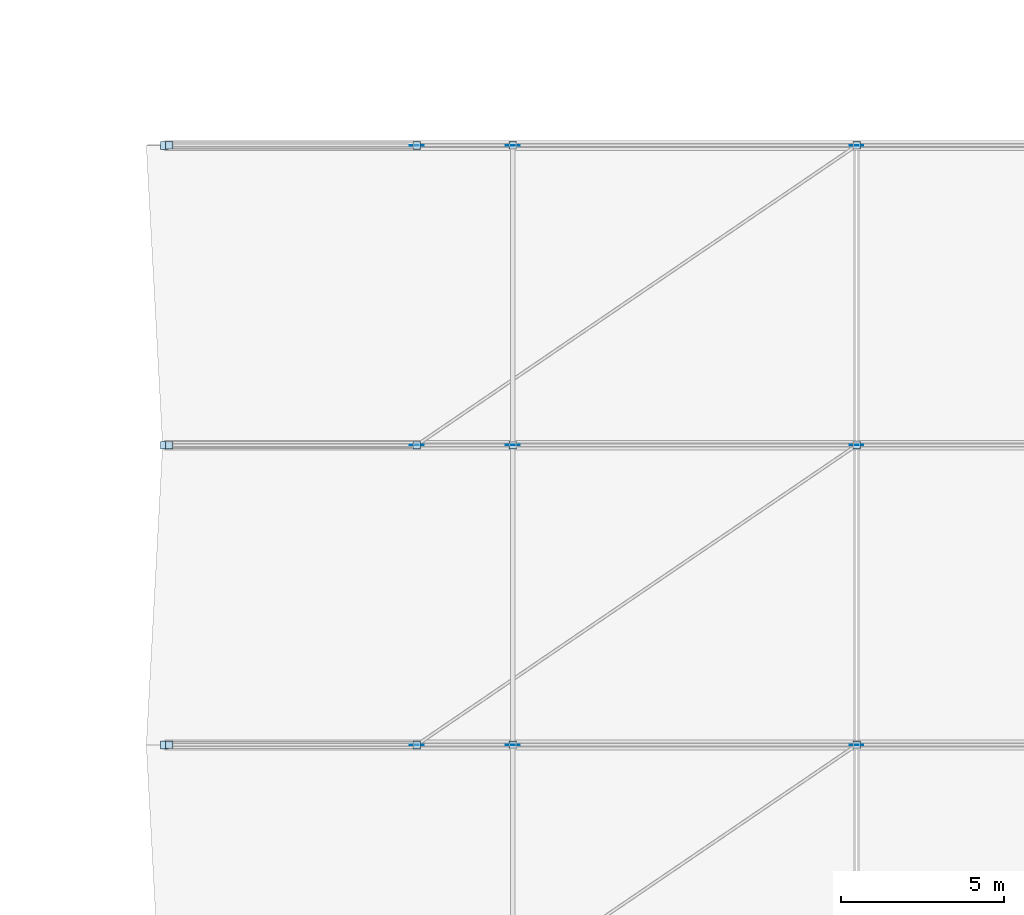
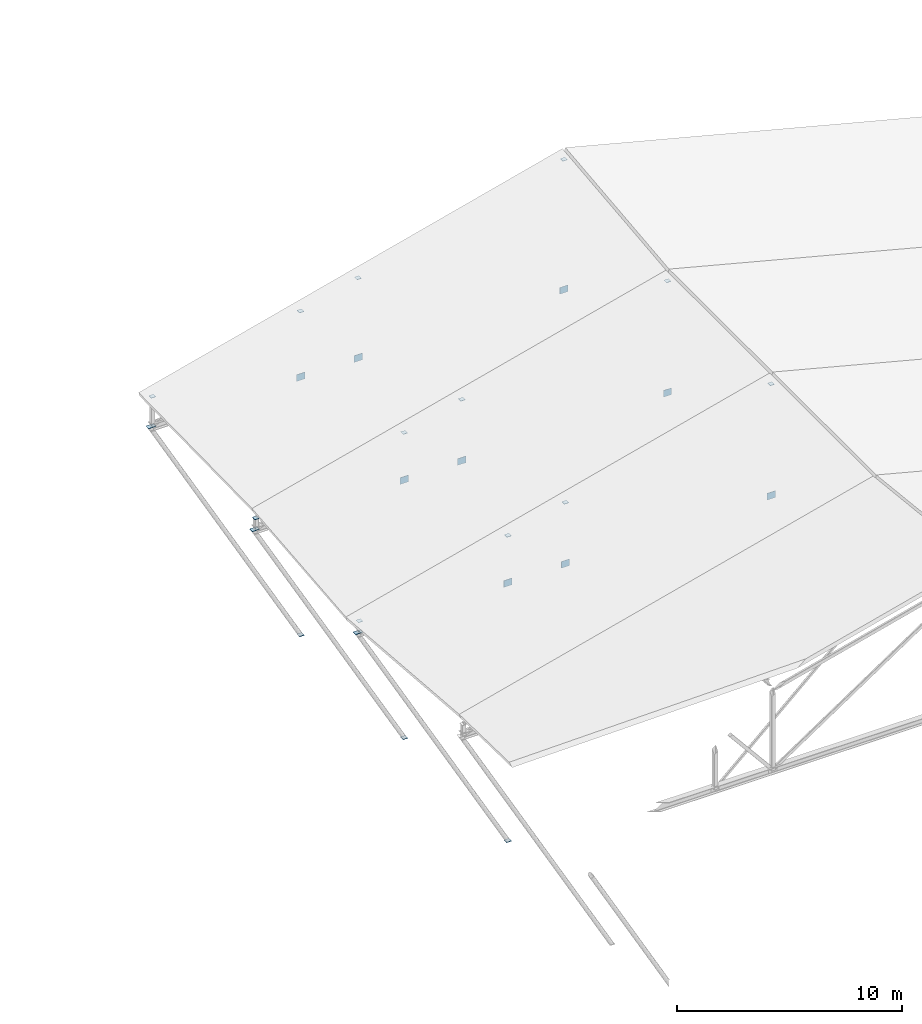
# One storey, part 50 of 56: 30 plates.
"""IFC4 building model written with IfcOpenShell, lengths in metres."""

from ifc_helpers import new_model, si_unit, direction, frame, origin, origin_2d, place, context, subcontext, project, spatial, rectangle, extrude, material, layer, layer_set, type_object, element, save


model = new_model("IFC4")

# Units and contexts
model_context = context("Model", 3, precision=1e-05, world=origin(), true_north=direction((0.0, 1.0)))
body_context = subcontext(model_context, "Body", "Model", "MODEL_VIEW")
ifc_project = project(units=[si_unit("LENGTHUNIT", "METRE"), si_unit("AREAUNIT", "SQUARE_METRE"), si_unit("VOLUMEUNIT", "CUBIC_METRE"), si_unit("PLANEANGLEUNIT", "RADIAN"), si_unit("MASSUNIT", "GRAM", prefix="KILO")], contexts=[model_context])

# Site, building, storey
site_placement = place(None, origin())
site = spatial("IfcSite", under=ifc_project, at=site_placement, CompositionType="ELEMENT")
building_placement = place(site_placement, origin())
building = spatial("IfcBuilding", under=site, at=building_placement, Name="Bozkorgan Art Gallery", CompositionType="ELEMENT")
storey_placement = place(building_placement, frame((0.0, 0.0, 24.0)))
storey = spatial("IfcBuildingStorey", under=building, at=storey_placement, Name="L05", CompositionType="ELEMENT", Elevation=24.0)

# Plates
ifc_material = material(Name="Steel S355J2", Category="steel")
ifc_layer_1 = layer(ifc_material, 0.01611328125, Name="Steel S355J2")
ifc_layer_set_1 = layer_set([ifc_layer_1], Name="Steel S355J2")
plate_type_1 = type_object("IfcPlateType", Name="PLATE-EC-05", PredefinedType="USERDEFINED", material=ifc_layer_set_1)
for number, where, z_axis, x_axis, name in (
    (1, (66.39990234375, 66.0, 0.7646484375), (0.0, 0.0, 1.0), (1.0, 0.0, 0.0), "Truss V4 post cap 3.0"),
    (2, (66.39990234375, 66.0, 0.171875), (0.0, 0.0, 1.0), (1.0, 0.0, 0.0), "Truss V4 post base cap 3.0"),
    (3, (74.0, 66.0, 2.72998046875), (0.0, 0.0, 1.0), (1.0, 0.0, 0.0), "Truss V4 post cap 3.1"),
    (4, (76.949951171875, 66.0, 3.492919921875), (0.0, 0.0, 1.0), (1.0, 0.0, 0.0), "Truss V4 post cap 3.2"),
    (5, (87.5, 66.0, 6.221435546875), (0.0, 0.0, 1.0), (1.0, 0.0, 0.0), "Truss V4 post cap 3.3"),
    (6, (66.39990234375, 75.199951171875, 0.7646484375), (0.0, 0.0, 1.0), (1.0, 0.0, 0.0), "Truss V4 post cap 4.0"),
    (7, (66.39990234375, 75.199951171875, 0.171875), (0.0, 0.0, 1.0), (1.0, 0.0, 0.0), "Truss V4 post base cap 4.0"),
    (8, (74.0, 75.199951171875, 2.72998046875), (0.0, 0.0, 1.0), (1.0, 0.0, 0.0), "Truss V4 post cap 4.1"),
    (9, (76.949951171875, 75.199951171875, 3.492919921875), (0.0, 0.0, 1.0), (1.0, 0.0, 0.0), "Truss V4 post cap 4.2"),
    (10, (87.5, 75.199951171875, 6.221435546875), (0.0, 0.0, 1.0), (1.0, 0.0, 0.0), "Truss V4 post cap 4.3"),
    (11, (66.39990234375, 84.39990234375, 1.772216796875), (0.0, 0.0, 1.0), (1.0, 0.0, 0.0), "Truss V4 post cap 5.0"),
    (12, (66.39990234375, 84.39990234375, 0.171875), (0.0, 0.0, 1.0), (1.0, 0.0, 0.0), "Truss V4 post base cap 5.0"),
    (13, (74.0, 84.39990234375, 3.737548828125), (0.0, 0.0, 1.0), (1.0, 0.0, 0.0), "Truss V4 post cap 5.1"),
    (14, (76.949951171875, 84.39990234375, 4.50048828125), (0.0, 0.0, 1.0), (1.0, 0.0, 0.0), "Truss V4 post cap 5.2"),
    (15, (87.5, 84.39990234375, 7.22900390625), (0.0, 0.0, 1.0), (1.0, 0.0, 0.0), "Truss V4 post cap 5.3"),
):
    element("IfcPlate", number, at=place(storey_placement, frame(where, z_axis=z_axis, x_axis=x_axis)), inside=storey, type_object=plate_type_1, Name=name, ObjectType="END CAP PLATE", PredefinedType="USERDEFINED", context=body_context, shape_type="SweptSolid", body=[
        extrude(rectangle(XDim=0.22998046875, YDim=0.22998046875, at=origin_2d()), origin(), (0.0, 0.0, 1.0), 0.01611328125),
    ])
ifc_layer_2 = layer(ifc_material, 0.02001953125, Name="Steel S355J2")
ifc_layer_set_2 = layer_set([ifc_layer_2], Name="Steel S355J2")
plate_type_2 = type_object("IfcPlateType", Name="PLATE-EC-24", PredefinedType="USERDEFINED", material=ifc_layer_set_2)
for number, where, z_axis, x_axis, name in (
    (16, (74.0, 66.0, -13.81005859375), (0.0, 0.0, 1.0), (1.0, 0.0, 0.0), "ROOF-V4-MAIN west swept-eave diagonal tree-strut 3 end cap 1"),
    (17, (66.260009765625, 66.0, 0.169921875), (0.0, 0.0, 1.0), (1.0, 0.0, 0.0), "ROOF-V4-MAIN west swept-eave diagonal tree-strut 3 end cap 2"),
    (18, (74.0, 75.199951171875, -13.81005859375), (0.0, 0.0, 1.0), (1.0, 0.0, 0.0), "ROOF-V4-MAIN west swept-eave diagonal tree-strut 4 end cap 1"),
    (19, (66.260009765625, 75.199951171875, 0.169921875), (0.0, 0.0, 1.0), (1.0, 0.0, 0.0), "ROOF-V4-MAIN west swept-eave diagonal tree-strut 4 end cap 2"),
    (20, (74.0, 84.39990234375, -13.81005859375), (0.0, 0.0, 1.0), (1.0, 0.0, 0.0), "ROOF-V4-MAIN west swept-eave diagonal tree-strut 5 end cap 1"),
    (21, (66.260009765625, 84.39990234375, 0.169921875), (0.0, 0.0, 1.0), (1.0, 0.0, 0.0), "ROOF-V4-MAIN west swept-eave diagonal tree-strut 5 end cap 2"),
):
    element("IfcPlate", number, at=place(storey_placement, frame(where, z_axis=z_axis, x_axis=x_axis)), inside=storey, type_object=plate_type_2, Name=name, ObjectType="END CAP PLATE", PredefinedType="USERDEFINED", context=body_context, shape_type="SweptSolid", body=[
        extrude(rectangle(XDim=0.239990234375, YDim=0.239990234375, at=origin_2d()), origin(), (0.0, 0.0, 1.0), 0.02001953125),
    ])
ifc_layer_3 = layer(ifc_material, 0.02392578125, Name="Steel S355J2")
ifc_layer_set_3 = layer_set([ifc_layer_3], Name="Steel S355J2")
plate_type_3 = type_object("IfcPlateType", Name="PLATE-GP-38", PredefinedType="USERDEFINED", material=ifc_layer_set_3)
for number, where, z_axis, x_axis, name in (
    (22, (87.5, 66.0, 0.0), (0.0, 0.0, 1.0), (1.0, 0.0, 0.0), "Truss V4 span 3 node gusset TN-3"),
    (23, (87.5, 75.199951171875, 0.0), (0.0, 0.0, 1.0), (1.0, 0.0, 0.0), "Truss V4 span 4 node gusset TN-3"),
    (24, (87.5, 84.39990234375, 0.0), (0.0, 0.0, 1.0), (1.0, 0.0, 0.0), "Truss V4 span 5 node gusset TN-3"),
):
    element("IfcPlate", number, at=place(storey_placement, frame(where, z_axis=z_axis, x_axis=x_axis)), inside=storey, type_object=plate_type_3, Name=name, ObjectType="GUSSET PLATE", PredefinedType="USERDEFINED", context=body_context, shape_type="SweptSolid", body=[
        extrude(rectangle(XDim=0.419921875, YDim=0.02001953125, at=origin_2d()), origin(), (0.0, 0.0, 1.0), 0.360107421875),
    ])
ifc_layer_4 = layer(ifc_material, 0.02001953125, Name="Steel S355J2")
ifc_layer_set_4 = layer_set([ifc_layer_4], Name="Steel S355J2")
plate_type_4 = type_object("IfcPlateType", Name="PLATE-GP-55", PredefinedType="USERDEFINED", material=ifc_layer_set_4)
for number, where, z_axis, x_axis, name in (
    (25, (74.0, 66.0, 0.0), (0.0, 0.0, 1.0), (1.0, 0.0, 0.0), "Truss V4 span 3 node gusset TN-1"),
    (26, (76.949951171875, 66.0, 0.0), (0.0, 0.0, 1.0), (1.0, 0.0, 0.0), "Truss V4 span 3 node gusset TN-2"),
    (27, (74.0, 75.199951171875, 0.0), (0.0, 0.0, 1.0), (1.0, 0.0, 0.0), "Truss V4 span 4 node gusset TN-1"),
    (28, (76.949951171875, 75.199951171875, 0.0), (0.0, 0.0, 1.0), (1.0, 0.0, 0.0), "Truss V4 span 4 node gusset TN-2"),
    (29, (74.0, 84.39990234375, 0.0), (0.0, 0.0, 1.0), (1.0, 0.0, 0.0), "Truss V4 span 5 node gusset TN-1"),
    (30, (76.949951171875, 84.39990234375, 0.0), (0.0, 0.0, 1.0), (1.0, 0.0, 0.0), "Truss V4 span 5 node gusset TN-2"),
):
    element("IfcPlate", number, at=place(storey_placement, frame(where, z_axis=z_axis, x_axis=x_axis)), inside=storey, type_object=plate_type_4, Name=name, ObjectType="GUSSET PLATE", PredefinedType="USERDEFINED", context=body_context, shape_type="SweptSolid", body=[
        extrude(rectangle(XDim=0.419921875, YDim=0.02001953125, at=origin_2d()), origin(), (0.0, 0.0, 1.0), 0.360107421875),
    ])

save(model, "model.ifc")
